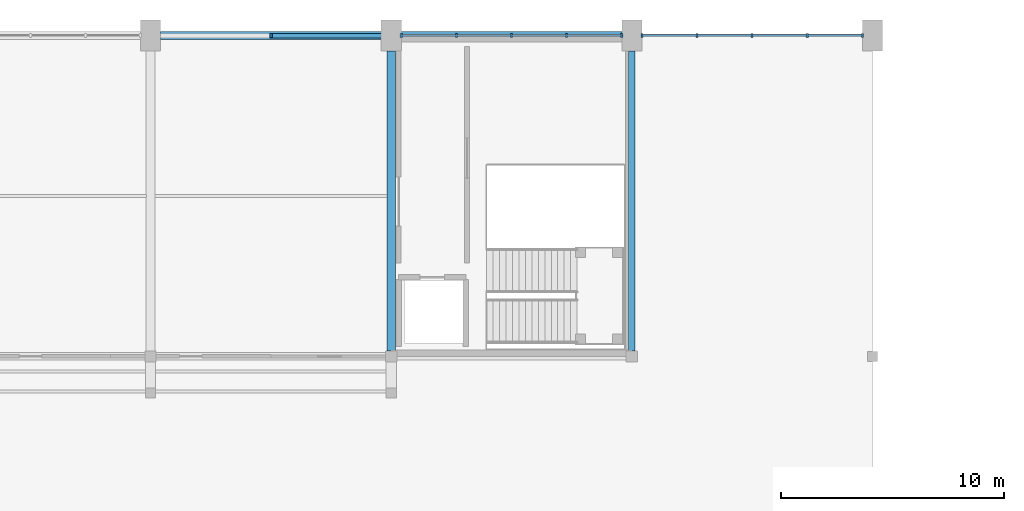
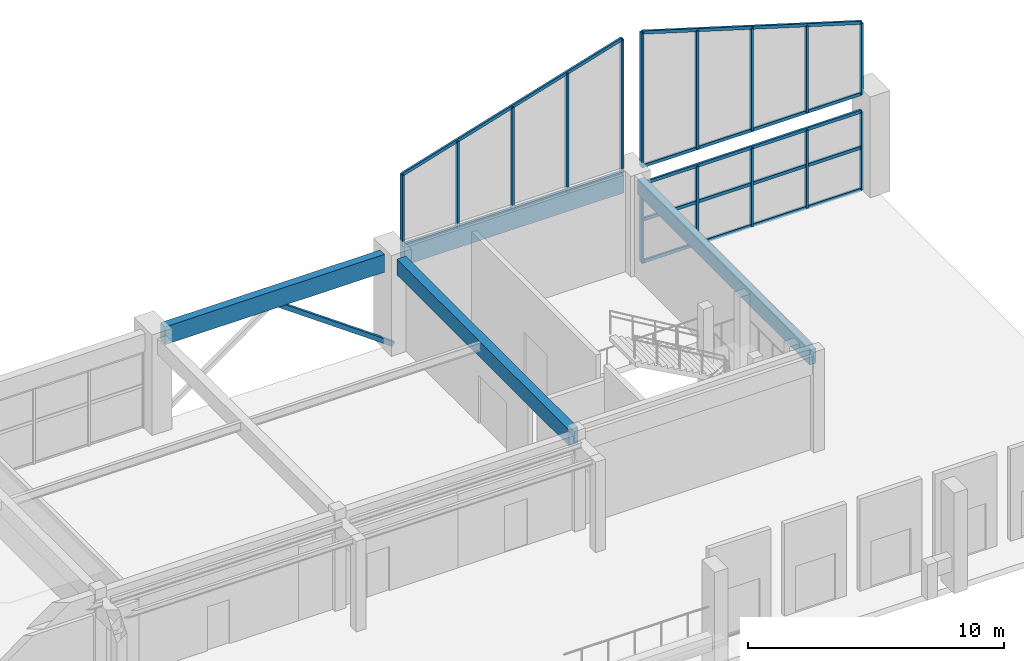
# One storey, part 35 of 74: 37 members, 4 beams, 3 elements without a shape of their own.
"""IFC4 building model written with IfcOpenShell, lengths in metres."""

from ifc_helpers import new_model, si_unit, direction, frame, origin, origin_2d, place, context, subcontext, project, spatial, rectangle, hollow_rectangle, extrude, material, material_profile, profile_set, type_object, element, aggregate, save


model = new_model("IFC4")

# Units and contexts
model_context = context("Model", 3, precision=1e-05, world=origin(), true_north=direction((0.0, 1.0)))
body_context = subcontext(model_context, "Body", "Model", "MODEL_VIEW")
ifc_project = project(units=[si_unit("LENGTHUNIT", "METRE"), si_unit("AREAUNIT", "SQUARE_METRE"), si_unit("VOLUMEUNIT", "CUBIC_METRE"), si_unit("PLANEANGLEUNIT", "RADIAN"), si_unit("MASSUNIT", "GRAM", prefix="KILO")], contexts=[model_context])

# Site, building, storey
site_placement = place(None, origin())
site = spatial("IfcSite", under=ifc_project, at=site_placement, CompositionType="ELEMENT")
building_placement = place(site_placement, origin())
building = spatial("IfcBuilding", under=site, at=building_placement, Name="Suirenkawa Promenade Aquatics Centre", CompositionType="ELEMENT")
storey_placement = place(building_placement, frame((0.0, 0.0, 4.800048828125)))
storey = spatial("IfcBuildingStorey", under=building, at=storey_placement, Name="L01", CompositionType="ELEMENT", Elevation=4.800048828125)

# Beams
ifc_material_1 = material(Name="Concrete M40", Category="concrete")
ifc_material_profile_1 = material_profile(ifc_material_1, rectangle(XDim=0.39990234375, YDim=0.75, at=origin_2d()), Name="RC BM 400x750", Category="concrete")
ifc_profile_set_1 = profile_set([ifc_material_profile_1], Name="Concrete M40")
beam_type_1 = type_object("IfcBeamType", Name="BT-RC-400x750", PredefinedType="BEAM", material=ifc_profile_set_1)
beam_1_placement = place(storey_placement, frame((133.199951171875, 108.243896484375, 4.175048828125), z_axis=(0.0, 1.0, 0.0), x_axis=(-1.0, 0.0, 0.0)))
element("IfcBeam", 1, at=beam_1_placement, inside=storey, type_object=beam_type_1, Name="Floor beam BM-05 BM-1149", PredefinedType="BEAM", context=body_context, shape_type="SweptSolid", body=[
    extrude(rectangle(XDim=0.39990234375, YDim=0.75, at=origin_2d()), origin(), (0.0, 0.0, 1.0), 13.462158203125),
])
ifc_material_profile_2 = material_profile(ifc_material_1, rectangle(XDim=0.300048828125, YDim=0.699951171875, at=origin_2d()), Name="RC SPANDREL 300x700", Category="concrete")
ifc_profile_set_2 = profile_set([ifc_material_profile_2], Name="Concrete M40")
beam_type_2 = type_object("IfcBeamType", Name="BT-SPANDREL-300x700", PredefinedType="SPANDREL", material=ifc_profile_set_2)
beam_2_placement = place(storey_placement, frame((144.0, 108.243896484375, 4.199951171875), z_axis=(0.0, 1.0, 0.0), x_axis=(-1.0, 0.0, 0.0)))
element("IfcBeam", 2, at=beam_2_placement, inside=storey, type_object=beam_type_2, Name="Floor beam SP-01 BM-1150", PredefinedType="SPANDREL", context=body_context, shape_type="SweptSolid", body=[
    extrude(rectangle(XDim=0.300048828125, YDim=0.699951171875, at=origin_2d()), origin(), (0.0, 0.0, 1.0), 13.462158203125),
])
ifc_material_profile_3 = material_profile(ifc_material_1, rectangle(XDim=0.35009765625, YDim=0.85009765625, at=origin_2d()), Name="RC SPANDREL 350x850", Category="concrete")
ifc_profile_set_3 = profile_set([ifc_material_profile_3], Name="Concrete M40")
beam_type_3 = type_object("IfcBeamType", Name="BT-SPANDREL-350x850", PredefinedType="SPANDREL", material=ifc_profile_set_3)
beam_3_placement = place(storey_placement, frame((122.843994140625, 122.39990234375, 4.125), z_axis=(1.0, 0.0, 0.0), x_axis=(0.0, 1.0, 0.0)))
element("IfcBeam", 3, at=beam_3_placement, inside=storey, type_object=beam_type_3, Name="Floor beam SP-02 BM-1140", PredefinedType="SPANDREL", context=body_context, shape_type="SweptSolid", body=[
    extrude(rectangle(XDim=0.35009765625, YDim=0.85009765625, at=origin_2d()), origin(), (0.0, 0.0, 1.0), 9.912109375),
])
beam_4_placement = place(storey_placement, frame((133.64404296875, 122.39990234375, 4.125), z_axis=(1.0, 0.0, 0.0), x_axis=(0.0, 1.0, 0.0)))
element("IfcBeam", 4, at=beam_4_placement, inside=storey, type_object=beam_type_3, Name="Floor beam SP-02 BM-1141", PredefinedType="SPANDREL", context=body_context, shape_type="SweptSolid", body=[
    extrude(rectangle(XDim=0.35009765625, YDim=0.85009765625, at=origin_2d()), origin(), (0.0, 0.0, 1.0), 9.911865234375),
])

# Curtain wall, members
ifc_material_2 = material(Name="Anodised aluminium 6063-T6", Category="aluminium")
curtain_wall_type_1 = type_object("IfcCurtainWallType", Name="CWAT-CLERN-06", PredefinedType="NOTDEFINED", material=ifc_material_2)
curtain_wall_1_placement = place(storey_placement, origin())
curtain_wall_1 = element("IfcCurtainWall", 5, at=curtain_wall_1_placement, inside=storey, type_object=curtain_wall_type_1, Name="Curtain wall CWA-06 CW-031", PredefinedType="NOTDEFINED")
ifc_material_profile_4 = material_profile(ifc_material_2, rectangle(XDim=0.094970703125, YDim=0.18994140625, at=origin_2d()), Name="ALU MULL 95x190", Category="aluminium")
ifc_profile_set_4 = profile_set([ifc_material_profile_4], Name="Anodised aluminium 6063-T6")
member_type_1 = type_object("IfcMemberType", Name="CWM-190x95", PredefinedType="MULLION", material=ifc_profile_set_4)
member_1_placement = place(storey_placement, frame((133.64892578125, 122.39990234375, 4.56005859375), z_axis=(0.0, 0.0, 1.0), x_axis=(1.0, 0.0, 0.0)))
member_1 = element("IfcMember", 6, at=member_1_placement, type_object=member_type_1, Name="Mullion ML-02 CWM-00642", PredefinedType="MULLION", context=body_context, shape_type="SweptSolid", body=[
    extrude(rectangle(XDim=0.094970703125, YDim=0.18994140625, at=origin_2d()), origin(), (0.0, 0.0, 1.0), 3.389892578125),
])
member_2_placement = place(storey_placement, frame((136.12451171875, 122.39990234375, 4.56005859375), z_axis=(0.0, 0.0, 1.0), x_axis=(1.0, 0.0, 0.0)))
member_2 = element("IfcMember", 7, at=member_2_placement, type_object=member_type_1, Name="Mullion ML-02 CWM-00643", PredefinedType="MULLION", context=body_context, shape_type="SweptSolid", body=[
    extrude(rectangle(XDim=0.094970703125, YDim=0.18994140625, at=origin_2d()), origin(), (0.0, 0.0, 1.0), 4.139892578125),
])
member_3_placement = place(storey_placement, frame((138.60009765625, 122.39990234375, 4.56005859375), z_axis=(0.0, 0.0, 1.0), x_axis=(1.0, 0.0, 0.0)))
member_3 = element("IfcMember", 8, at=member_3_placement, type_object=member_type_1, Name="Mullion ML-02 CWM-00644", PredefinedType="MULLION", context=body_context, shape_type="SweptSolid", body=[
    extrude(rectangle(XDim=0.094970703125, YDim=0.18994140625, at=origin_2d()), origin(), (0.0, 0.0, 1.0), 4.889892578125),
])
member_4_placement = place(storey_placement, frame((141.075439453125, 122.39990234375, 4.56005859375), z_axis=(0.0, 0.0, 1.0), x_axis=(1.0, 0.0, 0.0)))
member_4 = element("IfcMember", 9, at=member_4_placement, type_object=member_type_1, Name="Mullion ML-02 CWM-00645", PredefinedType="MULLION", context=body_context, shape_type="SweptSolid", body=[
    extrude(rectangle(XDim=0.094970703125, YDim=0.18994140625, at=origin_2d()), origin(), (0.0, 0.0, 1.0), 5.639892578125),
])
member_5_placement = place(storey_placement, frame((143.551025390625, 122.39990234375, 4.56005859375), z_axis=(0.0, 0.0, 1.0), x_axis=(1.0, 0.0, 0.0)))
member_5 = element("IfcMember", 10, at=member_5_placement, type_object=member_type_1, Name="Mullion ML-02 CWM-00646", PredefinedType="MULLION", context=body_context, shape_type="SweptSolid", body=[
    extrude(rectangle(XDim=0.094970703125, YDim=0.18994140625, at=origin_2d()), origin(), (0.0, 0.0, 1.0), 6.389892578125),
])

curtain_wall_2_placement = place(storey_placement, origin())
curtain_wall_2 = element("IfcCurtainWall", 11, at=curtain_wall_2_placement, inside=storey, type_object=curtain_wall_type_1, Name="Curtain wall CWA-06 CW-033", PredefinedType="NOTDEFINED")
member_6_placement = place(storey_placement, frame((144.448974609375, 122.39990234375, 4.56005859375), z_axis=(0.0, 0.0, 1.0), x_axis=(1.0, 0.0, 0.0)))
member_6 = element("IfcMember", 12, at=member_6_placement, type_object=member_type_1, Name="Mullion ML-02 CWM-00680", PredefinedType="MULLION", context=body_context, shape_type="SweptSolid", body=[
    extrude(rectangle(XDim=0.094970703125, YDim=0.18994140625, at=origin_2d()), origin(), (0.0, 0.0, 1.0), 6.389892578125),
])
member_7_placement = place(storey_placement, frame((146.924560546875, 122.39990234375, 4.56005859375), z_axis=(0.0, 0.0, 1.0), x_axis=(1.0, 0.0, 0.0)))
member_7 = element("IfcMember", 13, at=member_7_placement, type_object=member_type_1, Name="Mullion ML-02 CWM-00681", PredefinedType="MULLION", context=body_context, shape_type="SweptSolid", body=[
    extrude(rectangle(XDim=0.094970703125, YDim=0.18994140625, at=origin_2d()), origin(), (0.0, 0.0, 1.0), 5.639892578125),
])
member_8_placement = place(storey_placement, frame((149.39990234375, 122.39990234375, 4.56005859375), z_axis=(0.0, 0.0, 1.0), x_axis=(1.0, 0.0, 0.0)))
member_8 = element("IfcMember", 14, at=member_8_placement, type_object=member_type_1, Name="Mullion ML-02 CWM-00682", PredefinedType="MULLION", context=body_context, shape_type="SweptSolid", body=[
    extrude(rectangle(XDim=0.094970703125, YDim=0.18994140625, at=origin_2d()), origin(), (0.0, 0.0, 1.0), 4.889892578125),
])
member_9_placement = place(storey_placement, frame((151.87548828125, 122.39990234375, 4.56005859375), z_axis=(0.0, 0.0, 1.0), x_axis=(1.0, 0.0, 0.0)))
member_9 = element("IfcMember", 15, at=member_9_placement, type_object=member_type_1, Name="Mullion ML-02 CWM-00683", PredefinedType="MULLION", context=body_context, shape_type="SweptSolid", body=[
    extrude(rectangle(XDim=0.094970703125, YDim=0.18994140625, at=origin_2d()), origin(), (0.0, 0.0, 1.0), 4.139892578125),
])
member_10_placement = place(storey_placement, frame((154.35107421875, 122.39990234375, 4.56005859375), z_axis=(0.0, 0.0, 1.0), x_axis=(1.0, 0.0, 0.0)))
member_10 = element("IfcMember", 16, at=member_10_placement, type_object=member_type_1, Name="Mullion ML-02 CWM-00684", PredefinedType="MULLION", context=body_context, shape_type="SweptSolid", body=[
    extrude(rectangle(XDim=0.094970703125, YDim=0.18994140625, at=origin_2d()), origin(), (0.0, 0.0, 1.0), 3.389892578125),
])

curtain_wall_type_2 = type_object("IfcCurtainWallType", Name="CWAT-V1CONC-07", PredefinedType="NOTDEFINED", material=ifc_material_2)
curtain_wall_3_placement = place(storey_placement, origin())
curtain_wall_3 = element("IfcCurtainWall", 17, at=curtain_wall_3_placement, inside=storey, type_object=curtain_wall_type_2, Name="Curtain wall CWA-07 CW-034", PredefinedType="NOTDEFINED")
member_11_placement = place(storey_placement, frame((144.448974609375, 122.39990234375, 0.0), z_axis=(0.0, 0.0, 1.0), x_axis=(1.0, 0.0, 0.0)))
member_11 = element("IfcMember", 18, at=member_11_placement, type_object=member_type_1, Name="Mullion ML-02 CWM-00695", PredefinedType="MULLION", context=body_context, shape_type="SweptSolid", body=[
    extrude(rectangle(XDim=0.094970703125, YDim=0.18994140625, at=origin_2d()), origin(), (0.0, 0.0, 1.0), 3.719970703125),
])
member_12_placement = place(storey_placement, frame((146.924560546875, 122.39990234375, 0.0), z_axis=(0.0, 0.0, 1.0), x_axis=(1.0, 0.0, 0.0)))
member_12 = element("IfcMember", 19, at=member_12_placement, type_object=member_type_1, Name="Mullion ML-02 CWM-00696", PredefinedType="MULLION", context=body_context, shape_type="SweptSolid", body=[
    extrude(rectangle(XDim=0.094970703125, YDim=0.18994140625, at=origin_2d()), origin(), (0.0, 0.0, 1.0), 3.719970703125),
])
member_13_placement = place(storey_placement, frame((149.39990234375, 122.39990234375, 0.0), z_axis=(0.0, 0.0, 1.0), x_axis=(1.0, 0.0, 0.0)))
member_13 = element("IfcMember", 20, at=member_13_placement, type_object=member_type_1, Name="Mullion ML-02 CWM-00697", PredefinedType="MULLION", context=body_context, shape_type="SweptSolid", body=[
    extrude(rectangle(XDim=0.094970703125, YDim=0.18994140625, at=origin_2d()), origin(), (0.0, 0.0, 1.0), 3.719970703125),
])
member_14_placement = place(storey_placement, frame((151.87548828125, 122.39990234375, 0.0), z_axis=(0.0, 0.0, 1.0), x_axis=(1.0, 0.0, 0.0)))
member_14 = element("IfcMember", 21, at=member_14_placement, type_object=member_type_1, Name="Mullion ML-02 CWM-00698", PredefinedType="MULLION", context=body_context, shape_type="SweptSolid", body=[
    extrude(rectangle(XDim=0.094970703125, YDim=0.18994140625, at=origin_2d()), origin(), (0.0, 0.0, 1.0), 3.719970703125),
])
member_15_placement = place(storey_placement, frame((154.35107421875, 122.39990234375, 0.0), z_axis=(0.0, 0.0, 1.0), x_axis=(1.0, 0.0, 0.0)))
member_15 = element("IfcMember", 22, at=member_15_placement, type_object=member_type_1, Name="Mullion ML-02 CWM-00699", PredefinedType="MULLION", context=body_context, shape_type="SweptSolid", body=[
    extrude(rectangle(XDim=0.094970703125, YDim=0.18994140625, at=origin_2d()), origin(), (0.0, 0.0, 1.0), 3.719970703125),
])

# Member
ifc_material_profile_5 = material_profile(ifc_material_2, rectangle(XDim=0.094970703125, YDim=0.14990234375, at=origin_2d()), Name="ALU TRAN 95x150", Category="aluminium")
ifc_profile_set_5 = profile_set([ifc_material_profile_5], Name="Anodised aluminium 6063-T6")
member_type_2 = type_object("IfcMemberType", Name="CWT-150x95", PredefinedType="USERDEFINED", material=ifc_profile_set_5)
member_16_placement = place(storey_placement, frame((133.64892578125, 122.39990234375, 4.56005859375), z_axis=(1.0, 0.0, 0.0), x_axis=(0.0, 1.0, 0.0)))
member_16 = element("IfcMember", 23, at=member_16_placement, type_object=member_type_2, Name="Transom TR-02 CWT-00647", ObjectType="TRANSOM", PredefinedType="USERDEFINED", context=body_context, shape_type="SweptSolid", body=[
    extrude(rectangle(XDim=0.094970703125, YDim=0.14990234375, at=origin_2d()), origin(), (0.0, 0.0, 1.0), 2.4755859375),
])

member_17_placement = place(storey_placement, frame((136.12451171875, 122.39990234375, 4.56005859375), z_axis=(1.0, 0.0, 0.0), x_axis=(0.0, 1.0, 0.0)))
member_17 = element("IfcMember", 24, at=member_17_placement, type_object=member_type_2, Name="Transom TR-02 CWT-00648", ObjectType="TRANSOM", PredefinedType="USERDEFINED", context=body_context, shape_type="SweptSolid", body=[
    extrude(rectangle(XDim=0.094970703125, YDim=0.14990234375, at=origin_2d()), origin(), (0.0, 0.0, 1.0), 2.4755859375),
])

member_18_placement = place(storey_placement, frame((138.60009765625, 122.39990234375, 4.56005859375), z_axis=(1.0, 0.0, 0.0), x_axis=(0.0, 1.0, 0.0)))
member_18 = element("IfcMember", 25, at=member_18_placement, type_object=member_type_2, Name="Transom TR-02 CWT-00649", ObjectType="TRANSOM", PredefinedType="USERDEFINED", context=body_context, shape_type="SweptSolid", body=[
    extrude(rectangle(XDim=0.094970703125, YDim=0.14990234375, at=origin_2d()), origin(), (0.0, 0.0, 1.0), 2.475341796875),
])

member_19_placement = place(storey_placement, frame((141.075439453125, 122.39990234375, 4.56005859375), z_axis=(1.0, 0.0, 0.0), x_axis=(0.0, 1.0, 0.0)))
member_19 = element("IfcMember", 26, at=member_19_placement, type_object=member_type_2, Name="Transom TR-02 CWT-00650", ObjectType="TRANSOM", PredefinedType="USERDEFINED", context=body_context, shape_type="SweptSolid", body=[
    extrude(rectangle(XDim=0.094970703125, YDim=0.14990234375, at=origin_2d()), origin(), (0.0, 0.0, 1.0), 2.4755859375),
])

member_20_placement = place(storey_placement, frame((133.64892578125, 122.39990234375, 7.949951171875), z_axis=(0.957043453601, 0.0, 0.289944525588), x_axis=(0.0, 1.0, 0.0)))
member_20 = element("IfcMember", 27, at=member_20_placement, type_object=member_type_2, Name="Roofline transom TR-02 CWT-00651", ObjectType="TRANSOM", PredefinedType="USERDEFINED", context=body_context, shape_type="SweptSolid", body=[
    extrude(rectangle(XDim=0.094970703125, YDim=0.14990234375, at=origin_2d()), origin(), (0.0, 0.0, 1.0), 5.17333984375),
])

member_21_placement = place(storey_placement, frame((138.60009765625, 122.39990234375, 9.449951171875), z_axis=(0.957039486046, 0.0, 0.289957621296), x_axis=(0.0, 1.0, 0.0)))
member_21 = element("IfcMember", 28, at=member_21_placement, type_object=member_type_2, Name="Roofline transom TR-02 CWT-00652", ObjectType="TRANSOM", PredefinedType="USERDEFINED", context=body_context, shape_type="SweptSolid", body=[
    extrude(rectangle(XDim=0.094970703125, YDim=0.14990234375, at=origin_2d()), origin(), (0.0, 0.0, 1.0), 5.173095703125),
])

aggregate(curtain_wall_1, [member_1, member_2, member_3, member_4, member_5, member_16, member_17, member_18, member_19, member_20, member_21])

member_22_placement = place(storey_placement, frame((144.448974609375, 122.39990234375, 4.56005859375), z_axis=(1.0, 0.0, 0.0), x_axis=(0.0, 1.0, 0.0)))
member_22 = element("IfcMember", 29, at=member_22_placement, type_object=member_type_2, Name="Transom TR-02 CWT-00685", ObjectType="TRANSOM", PredefinedType="USERDEFINED", context=body_context, shape_type="SweptSolid", body=[
    extrude(rectangle(XDim=0.094970703125, YDim=0.14990234375, at=origin_2d()), origin(), (0.0, 0.0, 1.0), 2.4755859375),
])

member_23_placement = place(storey_placement, frame((146.924560546875, 122.39990234375, 4.56005859375), z_axis=(1.0, 0.0, 0.0), x_axis=(0.0, 1.0, 0.0)))
member_23 = element("IfcMember", 30, at=member_23_placement, type_object=member_type_2, Name="Transom TR-02 CWT-00686", ObjectType="TRANSOM", PredefinedType="USERDEFINED", context=body_context, shape_type="SweptSolid", body=[
    extrude(rectangle(XDim=0.094970703125, YDim=0.14990234375, at=origin_2d()), origin(), (0.0, 0.0, 1.0), 2.475341796875),
])

member_24_placement = place(storey_placement, frame((149.39990234375, 122.39990234375, 4.56005859375), z_axis=(1.0, 0.0, 0.0), x_axis=(0.0, 1.0, 0.0)))
member_24 = element("IfcMember", 31, at=member_24_placement, type_object=member_type_2, Name="Transom TR-02 CWT-00687", ObjectType="TRANSOM", PredefinedType="USERDEFINED", context=body_context, shape_type="SweptSolid", body=[
    extrude(rectangle(XDim=0.094970703125, YDim=0.14990234375, at=origin_2d()), origin(), (0.0, 0.0, 1.0), 2.4755859375),
])

member_25_placement = place(storey_placement, frame((151.87548828125, 122.39990234375, 4.56005859375), z_axis=(1.0, 0.0, 0.0), x_axis=(0.0, 1.0, 0.0)))
member_25 = element("IfcMember", 32, at=member_25_placement, type_object=member_type_2, Name="Transom TR-02 CWT-00688", ObjectType="TRANSOM", PredefinedType="USERDEFINED", context=body_context, shape_type="SweptSolid", body=[
    extrude(rectangle(XDim=0.094970703125, YDim=0.14990234375, at=origin_2d()), origin(), (0.0, 0.0, 1.0), 2.4755859375),
])

member_26_placement = place(storey_placement, frame((144.448974609375, 122.39990234375, 10.949951171875), z_axis=(0.957039486046, 0.0, -0.289957621296), x_axis=(0.0, 1.0, 0.0)))
member_26 = element("IfcMember", 33, at=member_26_placement, type_object=member_type_2, Name="Roofline transom TR-02 CWT-00689", ObjectType="TRANSOM", PredefinedType="USERDEFINED", context=body_context, shape_type="SweptSolid", body=[
    extrude(rectangle(XDim=0.094970703125, YDim=0.14990234375, at=origin_2d()), origin(), (0.0, 0.0, 1.0), 5.173095703125),
])

member_27_placement = place(storey_placement, frame((149.39990234375, 122.39990234375, 9.449951171875), z_axis=(0.957043453601, 0.0, -0.289944525588), x_axis=(0.0, 1.0, 0.0)))
member_27 = element("IfcMember", 34, at=member_27_placement, type_object=member_type_2, Name="Roofline transom TR-02 CWT-00690", ObjectType="TRANSOM", PredefinedType="USERDEFINED", context=body_context, shape_type="SweptSolid", body=[
    extrude(rectangle(XDim=0.094970703125, YDim=0.14990234375, at=origin_2d()), origin(), (0.0, 0.0, 1.0), 5.17333984375),
])

aggregate(curtain_wall_2, [member_6, member_7, member_8, member_9, member_10, member_22, member_23, member_24, member_25, member_26, member_27])

member_28_placement = place(storey_placement, frame((144.448974609375, 122.39990234375, 0.0), z_axis=(1.0, 0.0, 0.0), x_axis=(0.0, 1.0, 0.0)))
member_28 = element("IfcMember", 35, at=member_28_placement, type_object=member_type_2, Name="Transom TR-02 CWT-00700", ObjectType="TRANSOM", PredefinedType="USERDEFINED", context=body_context, shape_type="SweptSolid", body=[
    extrude(rectangle(XDim=0.094970703125, YDim=0.14990234375, at=origin_2d()), origin(), (0.0, 0.0, 1.0), 2.4755859375),
])

member_29_placement = place(storey_placement, frame((146.924560546875, 122.39990234375, 0.0), z_axis=(1.0, 0.0, 0.0), x_axis=(0.0, 1.0, 0.0)))
member_29 = element("IfcMember", 36, at=member_29_placement, type_object=member_type_2, Name="Transom TR-02 CWT-00701", ObjectType="TRANSOM", PredefinedType="USERDEFINED", context=body_context, shape_type="SweptSolid", body=[
    extrude(rectangle(XDim=0.094970703125, YDim=0.14990234375, at=origin_2d()), origin(), (0.0, 0.0, 1.0), 2.475341796875),
])

member_30_placement = place(storey_placement, frame((149.39990234375, 122.39990234375, 0.0), z_axis=(1.0, 0.0, 0.0), x_axis=(0.0, 1.0, 0.0)))
member_30 = element("IfcMember", 37, at=member_30_placement, type_object=member_type_2, Name="Transom TR-02 CWT-00702", ObjectType="TRANSOM", PredefinedType="USERDEFINED", context=body_context, shape_type="SweptSolid", body=[
    extrude(rectangle(XDim=0.094970703125, YDim=0.14990234375, at=origin_2d()), origin(), (0.0, 0.0, 1.0), 2.4755859375),
])

member_31_placement = place(storey_placement, frame((151.87548828125, 122.39990234375, 0.0), z_axis=(1.0, 0.0, 0.0), x_axis=(0.0, 1.0, 0.0)))
member_31 = element("IfcMember", 38, at=member_31_placement, type_object=member_type_2, Name="Transom TR-02 CWT-00703", ObjectType="TRANSOM", PredefinedType="USERDEFINED", context=body_context, shape_type="SweptSolid", body=[
    extrude(rectangle(XDim=0.094970703125, YDim=0.14990234375, at=origin_2d()), origin(), (0.0, 0.0, 1.0), 2.4755859375),
])

member_32_placement = place(storey_placement, frame((144.448974609375, 122.39990234375, 2.0), z_axis=(1.0, 0.0, 0.0), x_axis=(0.0, 1.0, 0.0)))
member_32 = element("IfcMember", 39, at=member_32_placement, type_object=member_type_2, Name="Transom TR-02 CWT-00704", ObjectType="TRANSOM", PredefinedType="USERDEFINED", context=body_context, shape_type="SweptSolid", body=[
    extrude(rectangle(XDim=0.094970703125, YDim=0.14990234375, at=origin_2d()), origin(), (0.0, 0.0, 1.0), 2.4755859375),
])

member_33_placement = place(storey_placement, frame((146.924560546875, 122.39990234375, 2.0), z_axis=(1.0, 0.0, 0.0), x_axis=(0.0, 1.0, 0.0)))
member_33 = element("IfcMember", 40, at=member_33_placement, type_object=member_type_2, Name="Transom TR-02 CWT-00705", ObjectType="TRANSOM", PredefinedType="USERDEFINED", context=body_context, shape_type="SweptSolid", body=[
    extrude(rectangle(XDim=0.094970703125, YDim=0.14990234375, at=origin_2d()), origin(), (0.0, 0.0, 1.0), 2.475341796875),
])

member_34_placement = place(storey_placement, frame((149.39990234375, 122.39990234375, 2.0), z_axis=(1.0, 0.0, 0.0), x_axis=(0.0, 1.0, 0.0)))
member_34 = element("IfcMember", 41, at=member_34_placement, type_object=member_type_2, Name="Transom TR-02 CWT-00706", ObjectType="TRANSOM", PredefinedType="USERDEFINED", context=body_context, shape_type="SweptSolid", body=[
    extrude(rectangle(XDim=0.094970703125, YDim=0.14990234375, at=origin_2d()), origin(), (0.0, 0.0, 1.0), 2.4755859375),
])

member_35_placement = place(storey_placement, frame((151.87548828125, 122.39990234375, 2.0), z_axis=(1.0, 0.0, 0.0), x_axis=(0.0, 1.0, 0.0)))
member_35 = element("IfcMember", 42, at=member_35_placement, type_object=member_type_2, Name="Transom TR-02 CWT-00707", ObjectType="TRANSOM", PredefinedType="USERDEFINED", context=body_context, shape_type="SweptSolid", body=[
    extrude(rectangle(XDim=0.094970703125, YDim=0.14990234375, at=origin_2d()), origin(), (0.0, 0.0, 1.0), 2.4755859375),
])

member_36_placement = place(storey_placement, frame((144.448974609375, 122.39990234375, 3.719970703125), z_axis=(1.0, 0.0, 0.0), x_axis=(0.0, 1.0, 0.0)))
member_36 = element("IfcMember", 43, at=member_36_placement, type_object=member_type_2, Name="Roofline transom TR-02 CWT-00708", ObjectType="TRANSOM", PredefinedType="USERDEFINED", context=body_context, shape_type="SweptSolid", body=[
    extrude(rectangle(XDim=0.094970703125, YDim=0.14990234375, at=origin_2d()), origin(), (0.0, 0.0, 1.0), 9.902099609375),
])

aggregate(curtain_wall_3, [member_11, member_12, member_13, member_14, member_15, member_28, member_29, member_30, member_31, member_32, member_33, member_34, member_35, member_36])

ifc_material_3 = material(Name="Steel IS 2062 E350 (Grade 350)", Category="steel")
ifc_material_profile_6 = material_profile(ifc_material_3, hollow_rectangle(XDim=0.199951171875, YDim=0.199951171875, WallThickness=0.010009765625, at=origin_2d()), Name="SHS 200x200x10", Category="steel")
ifc_profile_set_6 = profile_set([ifc_material_profile_6], Name="Steel IS 2062 E350 (Grade 350)")
member_type_3 = type_object("IfcMemberType", Name="MT-BRACE-SHS200", PredefinedType="BRACE", material=ifc_profile_set_6)
member_37_placement = place(storey_placement, frame((133.199951171875, 122.39990234375, 0.050048828125), z_axis=(-0.8142480479, 0.0, 0.580517111282), x_axis=(0.0, -1.0, 0.0)))
element("IfcMember", 44, at=member_37_placement, inside=storey, type_object=member_type_3, Name="ROOF TRUSS Vertical chevron brace BF-01 MB-2912", PredefinedType="BRACE", context=body_context, shape_type="SweptSolid", body=[
    extrude(hollow_rectangle(XDim=0.199951171875, YDim=0.199951171875, WallThickness=0.010009765625, at=origin_2d()), origin(), (0.0, 0.0, 1.0), 6.6318359375),
])

save(model, "model.ifc")
